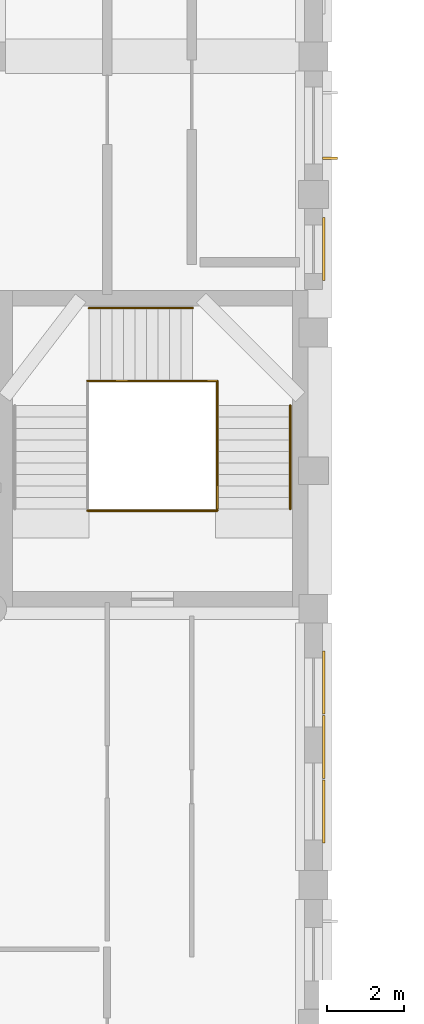
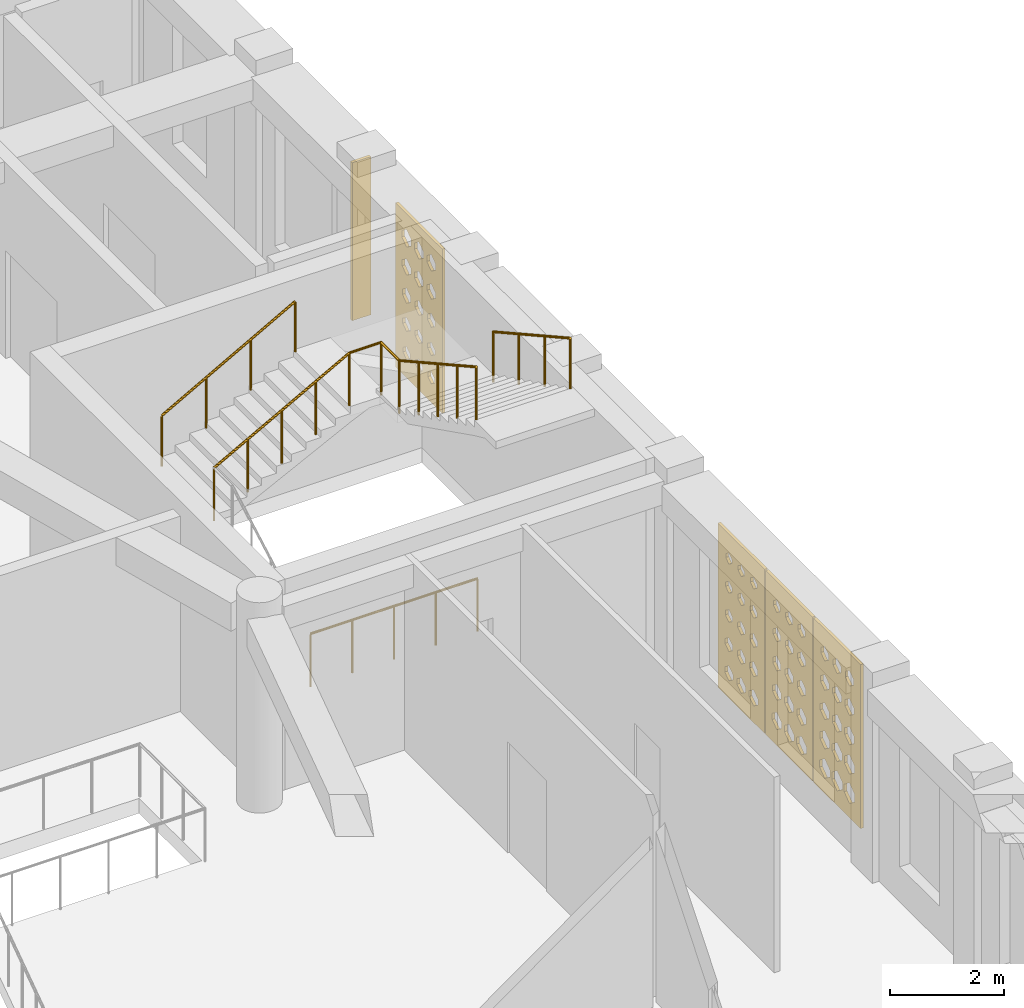
# One storey, part 102 of 121: 5 railings, 4 coverings, 1 shading device.
"""IFC4 building model written with IfcOpenShell, lengths in metres."""

from ifc_helpers import new_model, si_unit, derived_unit, direction, frame, origin, origin_2d, place, context, subcontext, project, spatial, polyline, rectangle, circle, outline, extrude, material, layer, layer_set, type_object, element, save


model = new_model("IFC4")

# Units and contexts
model_context = context("Model", 3, precision=1e-05, world=origin(), true_north=direction((0.0, 1.0)))
body_context = subcontext(model_context, "Body", "Model", "MODEL_VIEW")
ifc_project = project(units=[si_unit("LENGTHUNIT", "METRE"), si_unit("AREAUNIT", "SQUARE_METRE"), si_unit("VOLUMEUNIT", "CUBIC_METRE"), si_unit("PLANEANGLEUNIT", "RADIAN"), si_unit("MASSUNIT", "GRAM", prefix="KILO"), derived_unit("THERMALTRANSMITTANCEUNIT", [(si_unit("POWERUNIT", "WATT"), 1), (si_unit("LENGTHUNIT", "METRE"), -2), (si_unit("THERMODYNAMICTEMPERATUREUNIT", "KELVIN"), -1)])], contexts=[model_context])

# Site, building, storey
site_placement = place(None, origin())
site = spatial("IfcSite", under=ifc_project, at=site_placement, CompositionType="ELEMENT")
building_placement = place(site_placement, origin())
building = spatial("IfcBuilding", under=site, at=building_placement, Name="Veybourne Emporium", CompositionType="ELEMENT")
storey_placement = place(building_placement, frame((0.0, 0.0, 5.39990234375)))
storey = spatial("IfcBuildingStorey", under=building, at=storey_placement, Name="L01", CompositionType="ELEMENT", Elevation=5.39990234375)

# Railings
ifc_material_1 = material(Name="Brushed Stainless Steel", Category="steel")
railing_type_1 = type_object("IfcRailingType", Name="Guard_GR-01", PredefinedType="GUARDRAIL", material=ifc_material_1)
railing_1_placement = place(storey_placement, frame((94.909912109375, 56.340087890625, 1.5)))
element("IfcRailing", 1, at=railing_1_placement, inside=storey, type_object=railing_type_1, Name="L01 ST-07 stair guard 2", PredefinedType="GUARDRAIL", context=body_context, shape_type="SweptSolid", body=[
    extrude(circle(Radius=0.02392578125, at=origin_2d()), frame((0.0, 0.0, 1.1259765625), z_axis=(0.87715976088, 0.0, 0.480198660861), x_axis=(0.0, 1.0, 0.0)), (0.0, 0.0, 1.0), 3.123779296875),
    extrude(circle(Radius=0.02392578125, at=origin_2d()), frame((2.739990234375, 0.0, 2.6259765625), z_axis=(1.0, 0.0, 0.0), x_axis=(0.0, 1.0, 0.0)), (0.0, 0.0, 1.0), 0.64013671875),
    extrude(circle(Radius=0.02099609375, at=origin_2d()), origin(), (0.0, 0.0, 1.0), 1.101806640625),
    extrude(circle(Radius=0.02099609375, at=origin_2d()), frame((0.68505859375, 0.0, 0.375)), (0.0, 0.0, 1.0), 1.101806640625),
    extrude(circle(Radius=0.02099609375, at=origin_2d()), frame((1.3701171875, 0.0, 0.75)), (0.0, 0.0, 1.0), 1.101806640625),
    extrude(circle(Radius=0.02099609375, at=origin_2d()), frame((2.054931640625, 0.0, 1.125)), (0.0, 0.0, 1.0), 1.101806640625),
    extrude(circle(Radius=0.02099609375, at=origin_2d()), frame((2.739990234375, 0.0, 1.5)), (0.0, 0.0, 1.0), 1.101806640625),
    extrude(circle(Radius=0.02099609375, at=origin_2d()), frame((3.380126953125, 0.0, 1.5)), (0.0, 0.0, 1.0), 1.101806640625),
])
railing_2_placement = place(storey_placement, frame((98.2900390625, 56.340087890625, 3.0)))
element("IfcRailing", 2, at=railing_2_placement, inside=storey, type_object=railing_type_1, Name="L01 ST-07 stair guard 3", PredefinedType="GUARDRAIL", context=body_context, shape_type="SweptSolid", body=[
    extrude(circle(Radius=0.02392578125, at=origin_2d()), frame((0.0, 0.0, 1.1259765625), z_axis=(0.0, -1.0, 0.0), x_axis=(1.0, 0.0, 0.0)), (0.0, 0.0, 1.0), 0.64013671875),
    extrude(circle(Radius=0.02392578125, at=origin_2d()), frame((0.0, -0.64013671875, 1.1259765625), z_axis=(0.0, -0.87415354758, 0.485649642493), x_axis=(1.0, 0.0, 0.0)), (0.0, 0.0, 1.0), 3.088623046875),
    extrude(circle(Radius=0.02099609375, at=origin_2d()), origin(), (0.0, 0.0, 1.0), 1.101806640625),
    extrude(circle(Radius=0.02099609375, at=origin_2d()), frame((0.0, -0.64013671875, 0.0)), (0.0, 0.0, 1.0), 1.101806640625),
    extrude(circle(Radius=0.02099609375, at=origin_2d()), frame((0.0, -1.315185546875, 0.375)), (0.0, 0.0, 1.0), 1.101806640625),
    extrude(circle(Radius=0.02099609375, at=origin_2d()), frame((0.0, -1.990234375, 0.75)), (0.0, 0.0, 1.0), 1.101806640625),
    extrude(circle(Radius=0.02099609375, at=origin_2d()), frame((0.0, -2.6650390625, 1.125)), (0.0, 0.0, 1.0), 1.101806640625),
    extrude(circle(Radius=0.02099609375, at=origin_2d()), frame((0.0, -3.340087890625, 1.5)), (0.0, 0.0, 1.0), 1.101806640625),
])
railing_3_placement = place(storey_placement, frame((94.909912109375, 52.9599609375, 0.0)))
element("IfcRailing", 3, at=railing_3_placement, inside=storey, type_object=railing_type_1, Name="L01 ST-07 stair guard 4", PredefinedType="GUARDRAIL", context=body_context, shape_type="SweptSolid", body=[
    extrude(circle(Radius=0.02392578125, at=origin_2d()), frame((0.0, 0.0, 1.1259765625), z_axis=(1.0, 0.0, 0.0), x_axis=(0.0, 1.0, 0.0)), (0.0, 0.0, 1.0), 3.380126953125),
    extrude(circle(Radius=0.02099609375, at=origin_2d()), origin(), (0.0, 0.0, 1.0), 1.101806640625),
    extrude(circle(Radius=0.02099609375, at=origin_2d()), frame((0.844970703125, 0.0, 0.0)), (0.0, 0.0, 1.0), 1.101806640625),
    extrude(circle(Radius=0.02099609375, at=origin_2d()), frame((1.68994140625, 0.0, 0.0)), (0.0, 0.0, 1.0), 1.101806640625),
    extrude(circle(Radius=0.02099609375, at=origin_2d()), frame((2.53515625, 0.0, 0.0)), (0.0, 0.0, 1.0), 1.101806640625),
    extrude(circle(Radius=0.02099609375, at=origin_2d()), frame((3.380126953125, 0.0, 0.0)), (0.0, 0.0, 1.0), 1.101806640625),
])
railing_type_2 = type_object("IfcRailingType", Name="Handrail_HR-01", PredefinedType="HANDRAIL", material=ifc_material_1)
railing_4_placement = place(storey_placement, frame((94.949951171875, 58.239990234375, 1.650146484375)))
element("IfcRailing", 4, at=railing_4_placement, inside=storey, type_object=railing_type_2, Name="L01 ST-07 pitch handrail 2", PredefinedType="HANDRAIL", context=body_context, shape_type="SweptSolid", body=[
    extrude(circle(Radius=0.02392578125, at=origin_2d()), frame((0.0, 0.0, 0.92578125), z_axis=(0.87415354758, 0.0, 0.485649642493), x_axis=(0.0, 1.0, 0.0)), (0.0, 0.0, 1.0), 3.088623046875),
    extrude(circle(Radius=0.02099609375, at=origin_2d()), frame((0.0, 0.0, -0.14990234375)), (0.0, 0.0, 1.0), 1.0517578125),
    extrude(circle(Radius=0.02099609375, at=origin_2d()), frame((0.89990234375, 0.0, 0.35009765625)), (0.0, 0.0, 1.0), 1.0517578125),
    extrude(circle(Radius=0.02099609375, at=origin_2d()), frame((1.800048828125, 0.0, 0.85009765625)), (0.0, 0.0, 1.0), 1.0517578125),
    extrude(circle(Radius=0.02099609375, at=origin_2d()), frame((2.699951171875, 0.0, 1.35009765625)), (0.0, 0.0, 1.0), 1.0517578125),
])
railing_5_placement = place(storey_placement, frame((100.18994140625, 55.699951171875, 3.150146484375)))
element("IfcRailing", 5, at=railing_5_placement, inside=storey, type_object=railing_type_2, Name="L01 ST-07 pitch handrail 3", PredefinedType="HANDRAIL", context=body_context, shape_type="SweptSolid", body=[
    extrude(circle(Radius=0.02392578125, at=origin_2d()), frame((0.0, 0.0, 0.92578125), z_axis=(0.0, -0.87415354758, 0.485649642493), x_axis=(1.0, 0.0, 0.0)), (0.0, 0.0, 1.0), 3.088623046875),
    extrude(circle(Radius=0.02099609375, at=origin_2d()), frame((0.0, 0.0, -0.14990234375)), (0.0, 0.0, 1.0), 1.0517578125),
    extrude(circle(Radius=0.02099609375, at=origin_2d()), frame((0.0, -0.89990234375, 0.35009765625)), (0.0, 0.0, 1.0), 1.0517578125),
    extrude(circle(Radius=0.02099609375, at=origin_2d()), frame((0.0, -1.800048828125, 0.85009765625)), (0.0, 0.0, 1.0), 1.0517578125),
    extrude(circle(Radius=0.02099609375, at=origin_2d()), frame((0.0, -2.699951171875, 1.35009765625)), (0.0, 0.0, 1.0), 1.0517578125),
])

# Shading device
ifc_material_2 = material(Name="Patinated Architectural Bronze", Category="bronze")
shading_device_type = type_object("IfcShadingDeviceType", Name="SolarFin_FIN-01", PredefinedType="USERDEFINED", material=ifc_material_2)
shading_device_placement = place(storey_placement, frame((101.22900390625, 62.14111328125, 0.125244140625), z_axis=(0.0, 0.0, 1.0), x_axis=(0.0, -1.0, 0.0)))
element("IfcShadingDevice", 6, at=shading_device_placement, inside=storey, type_object=shading_device_type, Name="L01 bronze brise-soleil fin FIN-01 (52A.2)", ObjectType="FIN", PredefinedType="USERDEFINED", context=body_context, shape_type="SweptSolid", body=[
    extrude(rectangle(XDim=0.06494140625, YDim=0.3798828125, at=origin_2d()), origin(), (0.0, 0.0, 1.0), 3.3798828125),
])

# Coverings
ifc_material_3 = material(Name="Warm-White Perforated Aluminium Screen Alloy", Category="aluminium")
ifc_layer_1 = layer(ifc_material_3, 0.06005859375)
ifc_layer_set_1 = layer_set([ifc_layer_1], Name="Warm-White Perforated Aluminium Screen Alloy")
covering_type_1 = type_object("IfcCoveringType", Name="WaveScreen_SCR-01", PredefinedType="CLADDING", material=ifc_layer_set_1)
covering_1_placement = place(storey_placement, frame((101.09814453125, 48.47998046875, 1.815185546875), z_axis=(-1.0, 0.0, 0.0), x_axis=(0.0, -1.0, 0.0)))
element("IfcCovering", 7, at=covering_1_placement, inside=storey, type_object=covering_type_1, Name="L01 wave-perforated aluminium screen SCR-01 (50.1)", PredefinedType="CLADDING", context=body_context, shape_type="SweptSolid", body=[
    extrude(outline(polyline([(-0.81982421875, -1.7548828125), (0.81982421875, -1.7548828125), (0.81982421875, 1.7548828125), (-0.81982421875, 1.7548828125), (-0.81982421875, -1.7548828125)]), holes=[polyline([(-0.433349609375, -1.0673828125), (-0.2919921875, -1.170166015625), (-0.2919921875, -1.285888671875), (-0.433349609375, -1.388427734375), (-0.57470703125, -1.285888671875), (-0.57470703125, -1.170166015625), (-0.433349609375, -1.0673828125)]), polyline([(-0.433349609375, -0.466064453125), (-0.30224609375, -0.560791015625), (-0.30224609375, -0.667236328125), (-0.433349609375, -0.761962890625), (-0.564453125, -0.667236328125), (-0.564453125, -0.560791015625), (-0.433349609375, -0.466064453125)]), polyline([(-0.433349609375, 0.13671875), (-0.3115234375, 0.04931640625), (-0.3115234375, -0.04931640625), (-0.433349609375, -0.13671875), (-0.55517578125, -0.04931640625), (-0.55517578125, 0.04931640625), (-0.433349609375, 0.13671875)]), polyline([(-0.433349609375, 0.7412109375), (-0.3193359375, 0.659912109375), (-0.3193359375, 0.568115234375), (-0.433349609375, 0.48681640625), (-0.54736328125, 0.568115234375), (-0.54736328125, 0.659912109375), (-0.433349609375, 0.7412109375)]), polyline([(-0.433349609375, 1.347412109375), (-0.32568359375, 1.27099609375), (-0.32568359375, 1.18505859375), (-0.433349609375, 1.1083984375), (-0.541015625, 1.18505859375), (-0.541015625, 1.27099609375), (-0.433349609375, 1.347412109375)]), polyline([(0.0, -1.0615234375), (0.146240234375, -1.168212890625), (0.146240234375, -1.287841796875), (0.0, -1.39453125), (-0.146240234375, -1.287841796875), (-0.146240234375, -1.168212890625), (0.0, -1.0615234375)]), polyline([(0.0, -0.46044921875), (0.135498046875, -0.55859375), (0.135498046875, -0.669189453125), (0.0, -0.767578125), (-0.135498046875, -0.669189453125), (-0.135498046875, -0.55859375), (0.0, -0.46044921875)]), polyline([(0.0, 0.1416015625), (0.1259765625, 0.051025390625), (0.1259765625, -0.051025390625), (0.0, -0.1416015625), (-0.1259765625, -0.051025390625), (-0.1259765625, 0.051025390625), (0.0, 0.1416015625)]), polyline([(0.0, 0.745361328125), (0.117431640625, 0.661376953125), (0.117431640625, 0.566650390625), (0.0, 0.482666015625), (-0.117431640625, 0.566650390625), (-0.117431640625, 0.661376953125), (0.0, 0.745361328125)]), polyline([(0.0, 1.3505859375), (0.1103515625, 1.272216796875), (0.1103515625, 1.183837890625), (0.0, 1.105224609375), (-0.1103515625, 1.183837890625), (-0.1103515625, 1.272216796875), (0.0, 1.3505859375)]), polyline([(0.433349609375, -1.055419921875), (0.584716796875, -1.165771484375), (0.584716796875, -1.290283203125), (0.433349609375, -1.400634765625), (0.281982421875, -1.290283203125), (0.281982421875, -1.165771484375), (0.433349609375, -1.055419921875)]), polyline([(0.433349609375, -0.45458984375), (0.573486328125, -0.556640625), (0.573486328125, -0.67138671875), (0.433349609375, -0.773193359375), (0.29296875, -0.67138671875), (0.29296875, -0.556640625), (0.433349609375, -0.45458984375)]), polyline([(0.433349609375, 0.146728515625), (0.5634765625, 0.052978515625), (0.5634765625, -0.052978515625), (0.433349609375, -0.146728515625), (0.30322265625, -0.052978515625), (0.30322265625, 0.052978515625), (0.433349609375, 0.146728515625)]), polyline([(0.433349609375, 0.749755859375), (0.554443359375, 0.662841796875), (0.554443359375, 0.565185546875), (0.433349609375, 0.478271484375), (0.312255859375, 0.565185546875), (0.312255859375, 0.662841796875), (0.433349609375, 0.749755859375)]), polyline([(0.433349609375, 1.354248046875), (0.546630859375, 1.2734375), (0.546630859375, 1.1826171875), (0.433349609375, 1.101806640625), (0.320068359375, 1.1826171875), (0.320068359375, 1.2734375), (0.433349609375, 1.354248046875)])]), origin(), (0.0, 0.0, 1.0), 0.06005859375),
])
ifc_layer_2 = layer(ifc_material_3, 0.06005859375)
ifc_layer_set_2 = layer_set([ifc_layer_2], Name="Warm-White Perforated Aluminium Screen Alloy")
covering_type_2 = type_object("IfcCoveringType", Name="WaveScreen_SCR-02", PredefinedType="CLADDING", material=ifc_layer_set_2)
covering_2_placement = place(storey_placement, frame((101.09814453125, 46.800048828125, 1.815185546875), z_axis=(-1.0, 0.0, 0.0), x_axis=(0.0, -1.0, 0.0)))
element("IfcCovering", 8, at=covering_2_placement, inside=storey, type_object=covering_type_2, Name="L01 wave-perforated aluminium screen SCR-02 (50.2)", PredefinedType="CLADDING", context=body_context, shape_type="SweptSolid", body=[
    extrude(outline(polyline([(-0.81982421875, -1.7548828125), (0.81982421875, -1.7548828125), (0.81982421875, 1.7548828125), (-0.81982421875, 1.7548828125), (-0.81982421875, -1.7548828125)]), holes=[polyline([(-0.433349609375, -1.04345703125), (-0.272216796875, -1.16162109375), (-0.272216796875, -1.29443359375), (-0.433349609375, -1.41259765625), (-0.59423828125, -1.29443359375), (-0.59423828125, -1.16162109375), (-0.433349609375, -1.04345703125)]), polyline([(-0.433349609375, -0.443359375), (-0.28369140625, -0.552490234375), (-0.28369140625, -0.67529296875), (-0.433349609375, -0.78466796875), (-0.5830078125, -0.67529296875), (-0.5830078125, -0.552490234375), (-0.433349609375, -0.443359375)]), polyline([(-0.433349609375, 0.157470703125), (-0.294677734375, 0.056640625), (-0.294677734375, -0.056640625), (-0.433349609375, -0.157470703125), (-0.572021484375, -0.056640625), (-0.572021484375, 0.056640625), (-0.433349609375, 0.157470703125)]), polyline([(-0.433349609375, 0.759033203125), (-0.3046875, 0.666259765625), (-0.3046875, 0.561767578125), (-0.433349609375, 0.468994140625), (-0.56201171875, 0.561767578125), (-0.56201171875, 0.666259765625), (-0.433349609375, 0.759033203125)]), polyline([(-0.433349609375, 1.3623046875), (-0.3134765625, 1.2763671875), (-0.3134765625, 1.1796875), (-0.433349609375, 1.09375), (-0.55322265625, 1.1796875), (-0.55322265625, 1.2763671875), (-0.433349609375, 1.3623046875)]), polyline([(0.0, -1.037109375), (0.166259765625, -1.1591796875), (0.166259765625, -1.296875), (0.0, -1.4189453125), (-0.166259765625, -1.296875), (-0.166259765625, -1.1591796875), (0.0, -1.037109375)]), polyline([(0.0, -0.43701171875), (0.15478515625, -0.55029296875), (0.15478515625, -0.677734375), (0.0, -0.791015625), (-0.15478515625, -0.677734375), (-0.15478515625, -0.55029296875), (0.0, -0.43701171875)]), polyline([(0.0, 0.163330078125), (0.1435546875, 0.058837890625), (0.1435546875, -0.058837890625), (0.0, -0.163330078125), (-0.1435546875, -0.058837890625), (-0.1435546875, 0.058837890625), (0.0, 0.163330078125)]), polyline([(0.0, 0.764404296875), (0.133056640625, 0.668212890625), (0.133056640625, 0.559814453125), (0.0, 0.46337890625), (-0.133056640625, 0.559814453125), (-0.133056640625, 0.668212890625), (0.0, 0.764404296875)]), polyline([(0.0, 1.366943359375), (0.123779296875, 1.278076171875), (0.123779296875, 1.177978515625), (0.0, 1.089111328125), (-0.123779296875, 1.177978515625), (-0.123779296875, 1.278076171875), (0.0, 1.366943359375)]), polyline([(0.433349609375, -1.030517578125), (0.60498046875, -1.156982421875), (0.60498046875, -1.299072265625), (0.433349609375, -1.42529296875), (0.26171875, -1.299072265625), (0.26171875, -1.156982421875), (0.433349609375, -1.030517578125)]), polyline([(0.433349609375, -0.4306640625), (0.59326171875, -0.548095703125), (0.59326171875, -0.679931640625), (0.433349609375, -0.79736328125), (0.2734375, -0.679931640625), (0.2734375, -0.548095703125), (0.433349609375, -0.4306640625)]), polyline([(0.433349609375, 0.16943359375), (0.581787109375, 0.06103515625), (0.581787109375, -0.06103515625), (0.433349609375, -0.16943359375), (0.284912109375, -0.06103515625), (0.284912109375, 0.06103515625), (0.433349609375, 0.16943359375)]), polyline([(0.433349609375, 0.770263671875), (0.571044921875, 0.670166015625), (0.571044921875, 0.557861328125), (0.433349609375, 0.457763671875), (0.295654296875, 0.557861328125), (0.295654296875, 0.670166015625), (0.433349609375, 0.770263671875)]), polyline([(0.433349609375, 1.3720703125), (0.561279296875, 1.27978515625), (0.561279296875, 1.176025390625), (0.433349609375, 1.083984375), (0.305419921875, 1.176025390625), (0.305419921875, 1.27978515625), (0.433349609375, 1.3720703125)])]), origin(), (0.0, 0.0, 1.0), 0.06005859375),
])
ifc_layer_3 = layer(ifc_material_3, 0.06005859375)
ifc_layer_set_3 = layer_set([ifc_layer_3], Name="Warm-White Perforated Aluminium Screen Alloy")
covering_type_3 = type_object("IfcCoveringType", Name="WaveScreen_SCR-03", PredefinedType="CLADDING", material=ifc_layer_set_3)
covering_3_placement = place(storey_placement, frame((101.09814453125, 45.1201171875, 1.815185546875), z_axis=(-1.0, 0.0, 0.0), x_axis=(0.0, -1.0, 0.0)))
element("IfcCovering", 9, at=covering_3_placement, inside=storey, type_object=covering_type_3, Name="L01 wave-perforated aluminium screen SCR-03 (50.3)", PredefinedType="CLADDING", context=body_context, shape_type="SweptSolid", body=[
    extrude(outline(polyline([(-0.81982421875, -1.7548828125), (0.81982421875, -1.7548828125), (0.81982421875, 1.7548828125), (-0.81982421875, 1.7548828125), (-0.81982421875, -1.7548828125)]), holes=[polyline([(-0.433349609375, -1.0185546875), (-0.251953125, -1.152587890625), (-0.251953125, -1.303466796875), (-0.433349609375, -1.4375), (-0.614501953125, -1.303466796875), (-0.614501953125, -1.152587890625), (-0.433349609375, -1.0185546875)]), polyline([(-0.433349609375, -0.418701171875), (-0.263427734375, -0.543701171875), (-0.263427734375, -0.684326171875), (-0.433349609375, -0.809326171875), (-0.60302734375, -0.684326171875), (-0.60302734375, -0.543701171875), (-0.433349609375, -0.418701171875)]), polyline([(-0.433349609375, 0.18115234375), (-0.275146484375, 0.065185546875), (-0.275146484375, -0.065185546875), (-0.433349609375, -0.18115234375), (-0.591552734375, -0.065185546875), (-0.591552734375, 0.065185546875), (-0.433349609375, 0.18115234375)]), polyline([(-0.433349609375, 0.781494140625), (-0.286376953125, 0.67431640625), (-0.286376953125, 0.5537109375), (-0.433349609375, 0.446533203125), (-0.580322265625, 0.5537109375), (-0.580322265625, 0.67431640625), (-0.433349609375, 0.781494140625)]), polyline([(-0.433349609375, 1.38232421875), (-0.297119140625, 1.283447265625), (-0.297119140625, 1.172607421875), (-0.433349609375, 1.07373046875), (-0.569580078125, 1.172607421875), (-0.569580078125, 1.283447265625), (-0.433349609375, 1.38232421875)]), polyline([(0.0, -1.012451171875), (0.186279296875, -1.150390625), (0.186279296875, -1.3056640625), (0.0, -1.443603515625), (-0.186279296875, -1.3056640625), (-0.186279296875, -1.150390625), (0.0, -1.012451171875)]), polyline([(0.0, -0.412353515625), (0.175048828125, -0.54150390625), (0.175048828125, -0.6865234375), (0.0, -0.815673828125), (-0.175048828125, -0.6865234375), (-0.175048828125, -0.54150390625), (0.0, -0.412353515625)]), polyline([(0.0, 0.1875), (0.16357421875, 0.0673828125), (0.16357421875, -0.0673828125), (0.0, -0.1875), (-0.16357421875, -0.0673828125), (-0.16357421875, 0.0673828125), (0.0, 0.1875)]), polyline([(0.0, 0.78759765625), (0.152099609375, 0.676513671875), (0.152099609375, 0.551513671875), (0.0, 0.4404296875), (-0.152099609375, 0.551513671875), (-0.152099609375, 0.676513671875), (0.0, 0.78759765625)]), polyline([(0.0, 1.38818359375), (0.14111328125, 1.28564453125), (0.14111328125, 1.17041015625), (0.0, 1.06787109375), (-0.14111328125, 1.17041015625), (-0.14111328125, 1.28564453125), (0.0, 1.38818359375)]), polyline([(0.433349609375, -1.00634765625), (0.61962890625, -1.148193359375), (0.61962890625, -1.307861328125), (0.433349609375, -1.44970703125), (0.2470703125, -1.307861328125), (0.2470703125, -1.148193359375), (0.433349609375, -1.00634765625)]), polyline([(0.433349609375, -0.406005859375), (0.613525390625, -0.5390625), (0.613525390625, -0.68896484375), (0.433349609375, -0.822021484375), (0.253173828125, -0.68896484375), (0.253173828125, -0.5390625), (0.433349609375, -0.406005859375)]), polyline([(0.433349609375, 0.194091796875), (0.60205078125, 0.06982421875), (0.60205078125, -0.06982421875), (0.433349609375, -0.194091796875), (0.2646484375, -0.06982421875), (0.2646484375, 0.06982421875), (0.433349609375, 0.194091796875)]), polyline([(0.433349609375, 0.7939453125), (0.590576171875, 0.6787109375), (0.590576171875, 0.54931640625), (0.433349609375, 0.43408203125), (0.276123046875, 0.54931640625), (0.276123046875, 0.6787109375), (0.433349609375, 0.7939453125)]), polyline([(0.433349609375, 1.39404296875), (0.5791015625, 1.287841796875), (0.5791015625, 1.168212890625), (0.433349609375, 1.06201171875), (0.287353515625, 1.168212890625), (0.287353515625, 1.287841796875), (0.433349609375, 1.39404296875)])]), origin(), (0.0, 0.0, 1.0), 0.06005859375),
])
covering_4_placement = place(storey_placement, frame((101.09814453125, 59.77490234375, 1.815185546875), z_axis=(-1.0, 0.0, 0.0), x_axis=(0.0, -1.0, 0.0)))
element("IfcCovering", 10, at=covering_4_placement, inside=storey, type_object=covering_type_3, Name="L01 wave-perforated aluminium screen SCR-03 (52B.1)", PredefinedType="CLADDING", context=body_context, shape_type="SweptSolid", body=[
    extrude(outline(polyline([(-0.81982421875, -1.7548828125), (0.81982421875, -1.7548828125), (0.81982421875, 1.7548828125), (-0.81982421875, 1.7548828125), (-0.81982421875, -1.7548828125)]), holes=[polyline([(-0.433349609375, -1.08935546875), (-0.309814453125, -1.177978515625), (-0.309814453125, -1.27783203125), (-0.433349609375, -1.36669921875), (-0.556884765625, -1.27783203125), (-0.556884765625, -1.177978515625), (-0.433349609375, -1.08935546875)]), polyline([(-0.433349609375, -0.4638671875), (-0.30029296875, -0.559814453125), (-0.30029296875, -0.668212890625), (-0.433349609375, -0.76416015625), (-0.56640625, -0.668212890625), (-0.56640625, -0.559814453125), (-0.433349609375, -0.4638671875)]), polyline([(-0.433349609375, 0.1630859375), (-0.2900390625, 0.05859375), (-0.2900390625, -0.05859375), (-0.433349609375, -0.1630859375), (-0.57666015625, -0.05859375), (-0.57666015625, 0.05859375), (-0.433349609375, 0.1630859375)]), polyline([(-0.433349609375, 0.79052734375), (-0.27880859375, 0.677490234375), (-0.27880859375, 0.55029296875), (-0.433349609375, 0.4375), (-0.587890625, 0.55029296875), (-0.587890625, 0.677490234375), (-0.433349609375, 0.79052734375)]), polyline([(-0.433349609375, 1.418701171875), (-0.267333984375, 1.296630859375), (-0.267333984375, 1.159423828125), (-0.433349609375, 1.037353515625), (-0.599365234375, 1.159423828125), (-0.599365234375, 1.296630859375), (-0.433349609375, 1.418701171875)]), polyline([(0.0, -1.093994140625), (0.11962890625, -1.1796875), (0.11962890625, -1.276123046875), (0.0, -1.362060546875), (-0.11962890625, -1.276123046875), (-0.11962890625, -1.1796875), (0.0, -1.093994140625)]), polyline([(0.0, -0.46923828125), (0.12841796875, -0.56201171875), (0.12841796875, -0.666015625), (0.0, -0.7587890625), (-0.12841796875, -0.666015625), (-0.12841796875, -0.56201171875), (0.0, -0.46923828125)]), polyline([(0.0, 0.156982421875), (0.138427734375, 0.056396484375), (0.138427734375, -0.056396484375), (0.0, -0.156982421875), (-0.138427734375, -0.056396484375), (-0.138427734375, 0.056396484375), (0.0, 0.156982421875)]), polyline([(0.0, 0.7841796875), (0.1494140625, 0.67529296875), (0.1494140625, 0.552734375), (0.0, 0.443603515625), (-0.1494140625, 0.552734375), (-0.1494140625, 0.67529296875), (0.0, 0.7841796875)]), polyline([(0.0, 1.412353515625), (0.160888671875, 1.294189453125), (0.160888671875, 1.16162109375), (0.0, 1.043701171875), (-0.160888671875, 1.16162109375), (-0.160888671875, 1.294189453125), (0.0, 1.412353515625)]), polyline([(0.433349609375, -1.098388671875), (0.54931640625, -1.181396484375), (0.54931640625, -1.274658203125), (0.433349609375, -1.357666015625), (0.317138671875, -1.274658203125), (0.317138671875, -1.181396484375), (0.433349609375, -1.098388671875)]), polyline([(0.433349609375, -0.474365234375), (0.5576171875, -0.563720703125), (0.5576171875, -0.664306640625), (0.433349609375, -0.753662109375), (0.30908203125, -0.664306640625), (0.30908203125, -0.563720703125), (0.433349609375, -0.474365234375)]), polyline([(0.433349609375, 0.1513671875), (0.567138671875, 0.054443359375), (0.567138671875, -0.054443359375), (0.433349609375, -0.1513671875), (0.299560546875, -0.054443359375), (0.299560546875, 0.054443359375), (0.433349609375, 0.1513671875)]), polyline([(0.433349609375, 0.7783203125), (0.57763671875, 0.673095703125), (0.57763671875, 0.554931640625), (0.433349609375, 0.44970703125), (0.2890625, 0.554931640625), (0.2890625, 0.673095703125), (0.433349609375, 0.7783203125)]), polyline([(0.433349609375, 1.406005859375), (0.5888671875, 1.2919921875), (0.5888671875, 1.1640625), (0.433349609375, 1.050048828125), (0.27783203125, 1.1640625), (0.27783203125, 1.2919921875), (0.433349609375, 1.406005859375)])]), origin(), (0.0, 0.0, 1.0), 0.06005859375),
])

save(model, "model.ifc")
